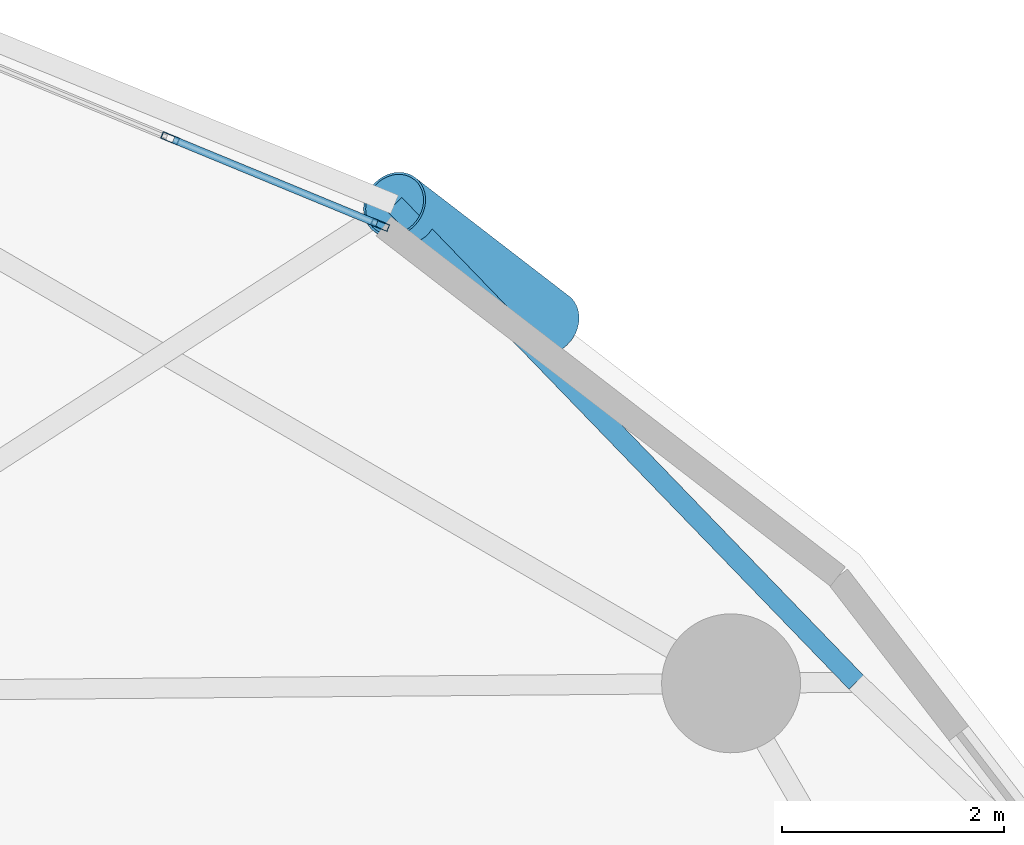
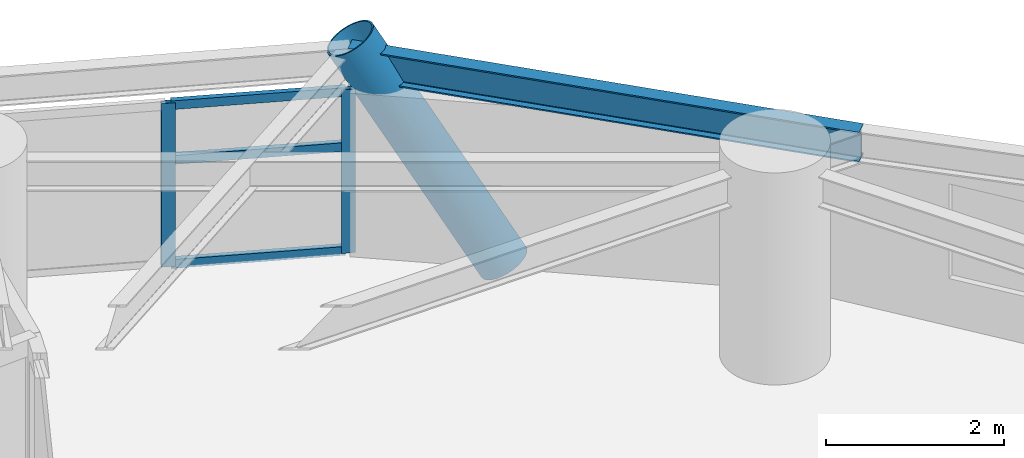
# One storey, part 5 of 17: 6 members, 1 beam, 1 element without a shape of its own.
"""IFC4 building model written with IfcOpenShell, lengths in metres."""

from ifc_helpers import new_model, si_unit, direction, frame, origin, origin_2d, place, context, subcontext, project, spatial, hollow_rectangle, hollow_circle, i_section, extrude, material, layer, layer_set, material_profile, profile_set, type_object, element, aggregate, save


model = new_model("IFC4")

# Units and contexts
model_context = context("Model", 3, precision=1e-05, world=origin(), true_north=direction((0.0, 1.0)))
body_context = subcontext(model_context, "Body", "Model", "MODEL_VIEW")
ifc_project = project(units=[si_unit("LENGTHUNIT", "METRE"), si_unit("AREAUNIT", "SQUARE_METRE"), si_unit("VOLUMEUNIT", "CUBIC_METRE"), si_unit("PLANEANGLEUNIT", "RADIAN"), si_unit("MASSUNIT", "GRAM", prefix="KILO")], contexts=[model_context])

# Site, building, storey
site_placement = place(None, origin())
site = spatial("IfcSite", under=ifc_project, at=site_placement, CompositionType="ELEMENT")
building_placement = place(site_placement, origin())
building = spatial("IfcBuilding", under=site, at=building_placement, Name="Cununo Teusaquillo Station Towers", CompositionType="ELEMENT")
storey_placement = place(building_placement, frame((0.0, 0.0, 174.8798828125)))
storey = spatial("IfcBuildingStorey", under=building, at=storey_placement, Name="L55", CompositionType="ELEMENT", Elevation=174.8798828125)

# Beam
ifc_material_1 = material(Name="Steel ASTM A572 Grade 50", Category="steel")
ifc_material_profile_1 = material_profile(ifc_material_1, i_section(OverallWidth=0.180908203125, OverallDepth=0.4169921875, WebThickness=0.010986328125, FlangeThickness=0.018310546875, FilletRadius=0.012939453125, at=origin_2d()), Name="W16X57")
ifc_profile_set_1 = profile_set([ifc_material_profile_1], Name="Steel ASTM A572 Grade 50")
beam_type = type_object("IfcBeamType", Name="BM-RING-Z3", PredefinedType="SPANDREL", material=ifc_profile_set_1)
beam_placement = place(storey_placement, frame((67.232666015625, 33.116455078125, 2.481689453125), z_axis=(-0.694791256552, 0.719211450005, 0.0), x_axis=(-0.719211450005, -0.694791256552, 0.0)))
element("IfcBeam", 1, at=beam_placement, inside=storey, type_object=beam_type, Name="L55 Tower B Spandrel Ring Beam 01", PredefinedType="SPANDREL", context=body_context, shape_type="SweptSolid", body=[
    extrude(i_section(OverallWidth=0.180908203125, OverallDepth=0.4169921875, WebThickness=0.010986328125, FlangeThickness=0.018310546875, FilletRadius=0.012939453125, at=origin_2d()), origin(), (0.0, 0.0, 1.0), 5.978515625),
])

# Curtain wall, members
ifc_material_2 = material(Name="Operable acoustic tinted low-E double glazing", Category="glass")
ifc_layer = layer(ifc_material_2, 0.179931640625)
ifc_layer_set = layer_set([ifc_layer], Name="Operable acoustic tinted low-E double glazing")
curtain_wall_type = type_object("IfcCurtainWallType", Name="CW-SYS-06", PredefinedType="USERDEFINED", material=ifc_layer_set)
curtain_wall_placement = place(storey_placement, origin())
curtain_wall = element("IfcCurtainWall", 2, at=curtain_wall_placement, inside=storey, type_object=curtain_wall_type, Name="L55 Tower B Facade Curtain Wall C01", ObjectType="OPERABLE GLAZING", PredefinedType="USERDEFINED")
ifc_material_3 = material(Name="Anodised dark bronze aluminium EN AW-6063-T6", Category="aluminium")
ifc_material_profile_2 = material_profile(ifc_material_3, hollow_rectangle(XDim=0.06494140625, YDim=0.159912109375, WallThickness=0.00390625, at=origin_2d()), Name="CW-MULL-65x160")
ifc_profile_set_2 = profile_set([ifc_material_profile_2], Name="Anodised dark bronze aluminium EN AW-6063-T6")
member_type_1 = type_object("IfcMemberType", Name="CWM-160", PredefinedType="MULLION", material=ifc_profile_set_2)
member_1_placement = place(storey_placement, frame((61.05908203125, 38.011962890625, 0.0), z_axis=(0.0, 0.0, 1.0), x_axis=(0.381229322376, 0.924480504803, 0.0)))
member_1 = element("IfcMember", 3, at=member_1_placement, type_object=member_type_1, Name="CW-06 mullion 2", PredefinedType="MULLION", context=body_context, shape_type="SweptSolid", body=[
    extrude(hollow_rectangle(XDim=0.06494140625, YDim=0.159912109375, WallThickness=0.00390625, at=origin_2d()), origin(), (0.0, 0.0, 1.0), 2.2451171875),
])
member_2_placement = place(storey_placement, frame((62.948974609375, 37.232666015625, 0.0), z_axis=(0.0, 0.0, 1.0), x_axis=(0.381229322376, 0.924480504803, 0.0)))
member_2 = element("IfcMember", 4, at=member_2_placement, type_object=member_type_1, Name="CW-06 mullion 3", PredefinedType="MULLION", context=body_context, shape_type="SweptSolid", body=[
    extrude(hollow_rectangle(XDim=0.06494140625, YDim=0.159912109375, WallThickness=0.00390625, at=origin_2d()), origin(), (0.0, 0.0, 1.0), 2.2451171875),
])
ifc_material_4 = material(Name="Anodised dark bronze aluminium EN AW-6063-T6", Category="aluminium")
ifc_material_profile_3 = material_profile(ifc_material_4, hollow_rectangle(XDim=0.06494140625, YDim=0.1201171875, WallThickness=0.00390625, at=origin_2d()), Name="CW-TRAN-65x120")
ifc_profile_set_3 = profile_set([ifc_material_profile_3], Name="Anodised dark bronze aluminium EN AW-6063-T6")
member_type_2 = type_object("IfcMemberType", Name="CWT-120", PredefinedType="USERDEFINED", material=ifc_profile_set_3)
member_3_placement = place(storey_placement, frame((61.089111328125, 37.99951171875, 0.03271484375), z_axis=(0.924450559311, -0.381301932056, 0.0), x_axis=(0.381301932056, 0.924450559311, 0.0)))
member_3 = element("IfcMember", 5, at=member_3_placement, type_object=member_type_2, Name="CW-06 transom 2.1", ObjectType="TRANSOM", PredefinedType="USERDEFINED", context=body_context, shape_type="SweptSolid", body=[
    extrude(hollow_rectangle(XDim=0.06494140625, YDim=0.1201171875, WallThickness=0.00390625, at=origin_2d()), origin(), (0.0, 0.0, 1.0), 1.97900390625),
])
member_4_placement = place(storey_placement, frame((61.089111328125, 37.99951171875, 1.459228515625), z_axis=(0.924450559311, -0.381301932056, 0.0), x_axis=(0.381301932056, 0.924450559311, 0.0)))
member_4 = element("IfcMember", 6, at=member_4_placement, type_object=member_type_2, Name="CW-06 transom 2.2", ObjectType="TRANSOM", PredefinedType="USERDEFINED", context=body_context, shape_type="SweptSolid", body=[
    extrude(hollow_rectangle(XDim=0.06494140625, YDim=0.1201171875, WallThickness=0.00390625, at=origin_2d()), origin(), (0.0, 0.0, 1.0), 1.97900390625),
])
member_5_placement = place(storey_placement, frame((61.089111328125, 37.99951171875, 2.212646484375), z_axis=(0.924450559311, -0.381301932056, 0.0), x_axis=(0.381301932056, 0.924450559311, 0.0)))
member_5 = element("IfcMember", 7, at=member_5_placement, type_object=member_type_2, Name="CW-06 transom 2.3", ObjectType="TRANSOM", PredefinedType="USERDEFINED", context=body_context, shape_type="SweptSolid", body=[
    extrude(hollow_rectangle(XDim=0.06494140625, YDim=0.1201171875, WallThickness=0.00390625, at=origin_2d()), origin(), (0.0, 0.0, 1.0), 1.97900390625),
])
aggregate(curtain_wall, [member_1, member_2, member_3, member_4, member_5])

# Member
ifc_material_5 = material(Name="Steel EN 10025-2 S355J2", Category="steel")
ifc_material_profile_4 = material_profile(ifc_material_5, hollow_circle(Radius=0.304931640625, WallThickness=0.02001953125, at=origin_2d()), Name="CHS 610x20")
ifc_profile_set_4 = profile_set([ifc_material_profile_4], Name="Steel EN 10025-2 S355J2")
member_type_3 = type_object("IfcMemberType", Name="MBR-DIAG-Z3", PredefinedType="BRACE", material=ifc_profile_set_4)
member_6_placement = place(storey_placement, frame((64.460205078125, 36.35205078125, -0.139892578125), z_axis=(-0.407191159107, 0.313705596067, 0.857778618841), x_axis=(-0.6102992551, -0.792170953282, 0.0)))
element("IfcMember", 8, at=member_6_placement, inside=storey, type_object=member_type_3, Name="L55 Tower B Folded-Zigzag Diagrid Tube C00", PredefinedType="BRACE", context=body_context, shape_type="SweptSolid", body=[
    extrude(hollow_circle(Radius=0.304931640625, WallThickness=0.02001953125, at=origin_2d()), origin(), (0.0, 0.0, 1.0), 3.392333984375),
])

save(model, "model.ifc")
